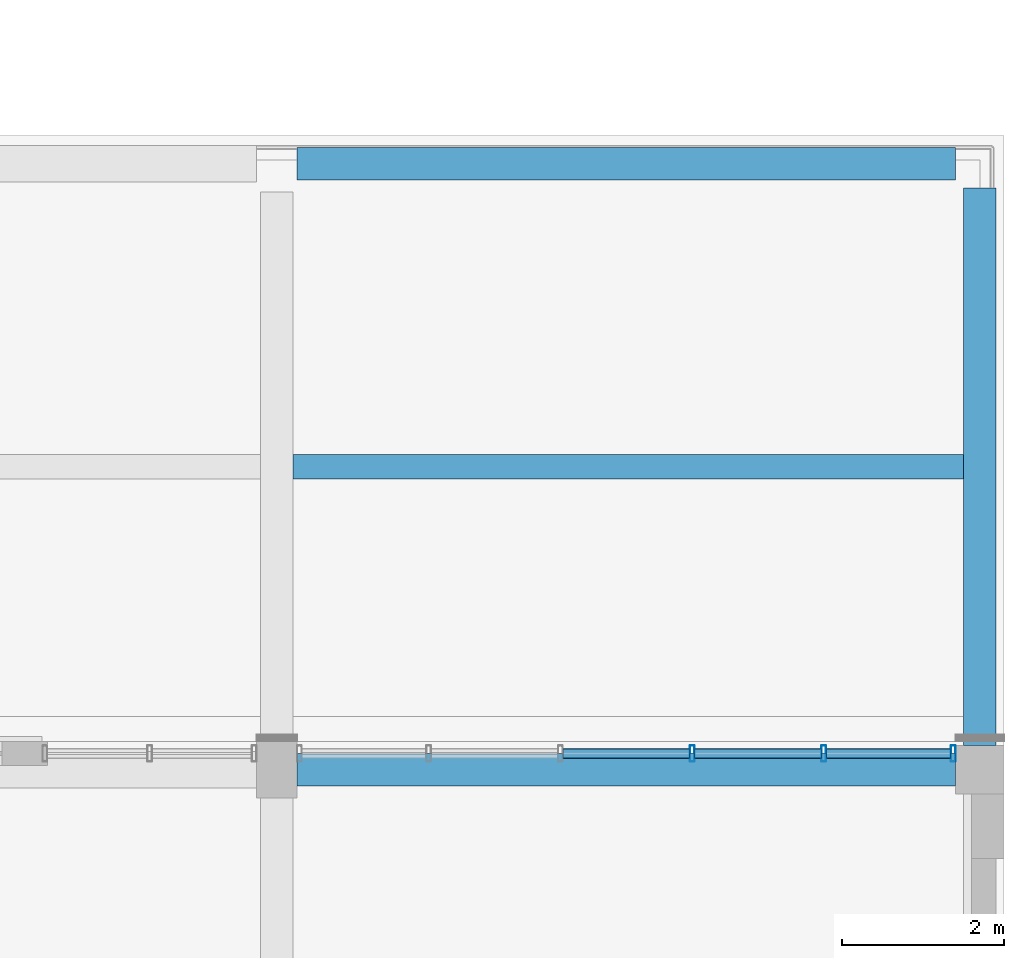
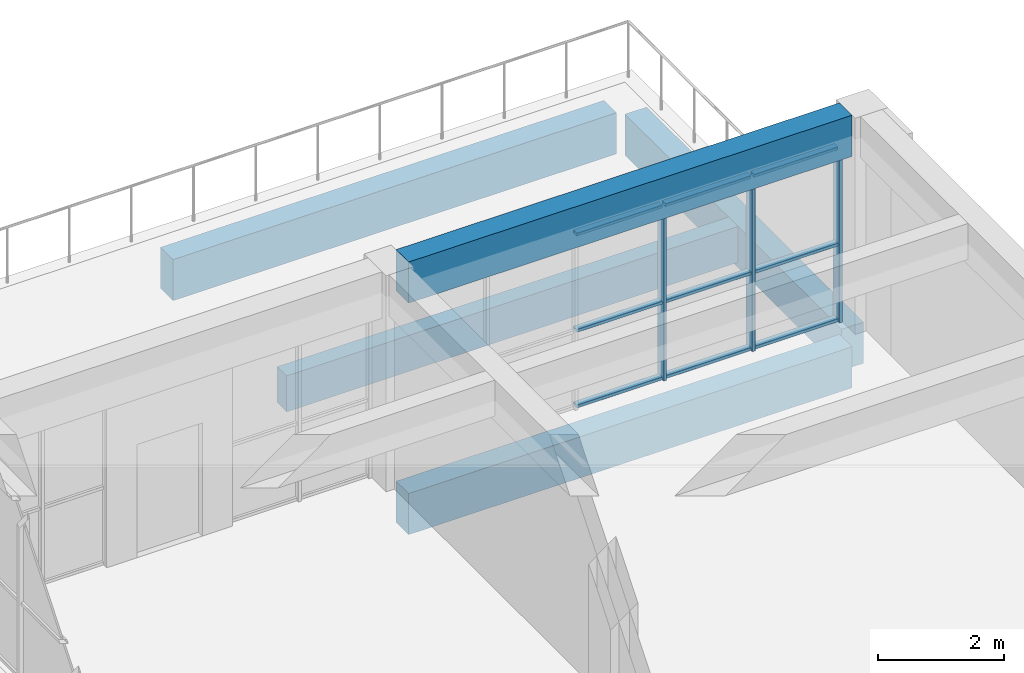
# One storey, part 13 of 26: 12 members, 5 beams, 1 element without a shape of its own.
"""IFC4 building model written with IfcOpenShell, lengths in metres."""

from ifc_helpers import new_model, si_unit, direction, frame, origin, origin_2d, place, context, subcontext, project, spatial, rectangle, hollow_rectangle, extrude, material, material_profile, profile_set, type_object, element, aggregate, save


model = new_model("IFC4")

# Units and contexts
model_context = context("Model", 3, precision=1e-05, world=origin(), true_north=direction((0.0, 1.0)))
body_context = subcontext(model_context, "Body", "Model", "MODEL_VIEW")
ifc_project = project(units=[si_unit("LENGTHUNIT", "METRE"), si_unit("AREAUNIT", "SQUARE_METRE"), si_unit("VOLUMEUNIT", "CUBIC_METRE"), si_unit("PLANEANGLEUNIT", "RADIAN"), si_unit("MASSUNIT", "GRAM", prefix="KILO")], contexts=[model_context])

# Site, building, storey
site_placement = place(None, origin())
site = spatial("IfcSite", under=ifc_project, at=site_placement, CompositionType="ELEMENT")
building_placement = place(site_placement, origin())
building = spatial("IfcBuilding", under=site, at=building_placement, Name="Sun Court Science Centre", CompositionType="ELEMENT")
storey_placement = place(building_placement, frame((0.0, 0.0, 29.25)))
storey = spatial("IfcBuildingStorey", under=building, at=storey_placement, Name="L06", CompositionType="ELEMENT", Elevation=29.25)

# Curtain wall, members
ifc_material_1 = material(Name="Aluminium EN AW-6063 T6", Category="aluminium")
curtain_wall_type = type_object("IfcCurtainWallType", Name="Laboratory tall bay curtain wall 1500", PredefinedType="NOTDEFINED", material=ifc_material_1)
curtain_wall_placement = place(storey_placement, origin())
curtain_wall = element("IfcCurtainWall", 1, at=curtain_wall_placement, inside=storey, type_object=curtain_wall_type, Name="Curtain wall V4 PN L06 03", PredefinedType="NOTDEFINED")
ifc_material_2 = material(Name="Aluminium EN AW-6063 T6", Category="aluminium")
ifc_material_profile_1 = material_profile(ifc_material_2, hollow_rectangle(XDim=0.06005859375, YDim=0.199951171875, WallThickness=0.0048828125, InnerFilletRadius=0.0048828125, OuterFilletRadius=0.007568359375, at=origin_2d()), Name="AL 60x200x5")
ifc_profile_set_1 = profile_set([ifc_material_profile_1], Name="Aluminium EN AW-6063 T6")
member_type_1 = type_object("IfcMemberType", Name="Curtain wall mullion AL 60x200", PredefinedType="MULLION", material=ifc_profile_set_1)
member_1_placement = place(storey_placement, frame((100.139892578125, 73.35009765625, 0.0), z_axis=(0.0, 0.0, 1.0), x_axis=(1.0, 0.0, 0.0)))
member_1 = element("IfcMember", 2, at=member_1_placement, type_object=member_type_1, Name="CW2-83 mullion 4", PredefinedType="MULLION", context=body_context, shape_type="SweptSolid", body=[
    extrude(hollow_rectangle(XDim=0.06005859375, YDim=0.199951171875, WallThickness=0.0048828125, InnerFilletRadius=0.0048828125, OuterFilletRadius=0.007568359375, at=origin_2d()), origin(), (0.0, 0.0, 1.0), 3.39990234375),
])
member_2_placement = place(storey_placement, frame((101.77001953125, 73.35009765625, 0.0), z_axis=(0.0, 0.0, 1.0), x_axis=(1.0, 0.0, 0.0)))
member_2 = element("IfcMember", 3, at=member_2_placement, type_object=member_type_1, Name="CW2-83 mullion 5", PredefinedType="MULLION", context=body_context, shape_type="SweptSolid", body=[
    extrude(hollow_rectangle(XDim=0.06005859375, YDim=0.199951171875, WallThickness=0.0048828125, InnerFilletRadius=0.0048828125, OuterFilletRadius=0.007568359375, at=origin_2d()), origin(), (0.0, 0.0, 1.0), 3.39990234375),
])
member_3_placement = place(storey_placement, frame((103.3701171875, 73.35009765625, 0.0), z_axis=(0.0, 0.0, 1.0), x_axis=(1.0, 0.0, 0.0)))
member_3 = element("IfcMember", 4, at=member_3_placement, type_object=member_type_1, Name="CW2-83 mullion 6", PredefinedType="MULLION", context=body_context, shape_type="SweptSolid", body=[
    extrude(hollow_rectangle(XDim=0.06005859375, YDim=0.199951171875, WallThickness=0.0048828125, InnerFilletRadius=0.0048828125, OuterFilletRadius=0.007568359375, at=origin_2d()), origin(), (0.0, 0.0, 1.0), 3.39990234375),
])
ifc_material_3 = material(Name="Aluminium EN AW-6063 T6", Category="aluminium")
ifc_material_profile_2 = material_profile(ifc_material_3, hollow_rectangle(XDim=0.06005859375, YDim=0.1201171875, WallThickness=0.00390625, InnerFilletRadius=0.00390625, OuterFilletRadius=0.006103515625, at=origin_2d()), Name="AL 60x120x4")
ifc_profile_set_2 = profile_set([ifc_material_profile_2], Name="Aluminium EN AW-6063 T6")
member_type_2 = type_object("IfcMemberType", Name="Curtain wall transom AL 60x120", PredefinedType="USERDEFINED", material=ifc_profile_set_2)
member_4_placement = place(storey_placement, frame((98.5400390625, 73.35009765625, 0.030029296875), z_axis=(1.0, 0.0, 0.0), x_axis=(0.0, 0.0, 1.0)))
member_4 = element("IfcMember", 5, at=member_4_placement, type_object=member_type_2, Name="CW2-83 transom 3.1", ObjectType="TRANSOM", PredefinedType="USERDEFINED", context=body_context, shape_type="SweptSolid", body=[
    extrude(hollow_rectangle(XDim=0.06005859375, YDim=0.1201171875, WallThickness=0.00390625, InnerFilletRadius=0.00390625, OuterFilletRadius=0.006103515625, at=origin_2d()), origin(), (0.0, 0.0, 1.0), 1.570068359375),
])
member_5_placement = place(storey_placement, frame((100.169921875, 73.35009765625, 0.030029296875), z_axis=(1.0, 0.0, 0.0), x_axis=(0.0, 0.0, 1.0)))
member_5 = element("IfcMember", 6, at=member_5_placement, type_object=member_type_2, Name="CW2-83 transom 4.1", ObjectType="TRANSOM", PredefinedType="USERDEFINED", context=body_context, shape_type="SweptSolid", body=[
    extrude(hollow_rectangle(XDim=0.06005859375, YDim=0.1201171875, WallThickness=0.00390625, InnerFilletRadius=0.00390625, OuterFilletRadius=0.006103515625, at=origin_2d()), origin(), (0.0, 0.0, 1.0), 1.570068359375),
])
member_6_placement = place(storey_placement, frame((101.800048828125, 73.35009765625, 0.030029296875), z_axis=(1.0, 0.0, 0.0), x_axis=(0.0, 0.0, 1.0)))
member_6 = element("IfcMember", 7, at=member_6_placement, type_object=member_type_2, Name="CW2-83 transom 5.1", ObjectType="TRANSOM", PredefinedType="USERDEFINED", context=body_context, shape_type="SweptSolid", body=[
    extrude(hollow_rectangle(XDim=0.06005859375, YDim=0.1201171875, WallThickness=0.00390625, InnerFilletRadius=0.00390625, OuterFilletRadius=0.006103515625, at=origin_2d()), origin(), (0.0, 0.0, 1.0), 1.5400390625),
])
member_7_placement = place(storey_placement, frame((98.5400390625, 73.35009765625, 1.5), z_axis=(1.0, 0.0, 0.0), x_axis=(0.0, 0.0, 1.0)))
member_7 = element("IfcMember", 8, at=member_7_placement, type_object=member_type_2, Name="CW2-83 transom 3.2", ObjectType="TRANSOM", PredefinedType="USERDEFINED", context=body_context, shape_type="SweptSolid", body=[
    extrude(hollow_rectangle(XDim=0.06005859375, YDim=0.1201171875, WallThickness=0.00390625, InnerFilletRadius=0.00390625, OuterFilletRadius=0.006103515625, at=origin_2d()), origin(), (0.0, 0.0, 1.0), 1.570068359375),
])
member_8_placement = place(storey_placement, frame((100.169921875, 73.35009765625, 1.5), z_axis=(1.0, 0.0, 0.0), x_axis=(0.0, 0.0, 1.0)))
member_8 = element("IfcMember", 9, at=member_8_placement, type_object=member_type_2, Name="CW2-83 transom 4.2", ObjectType="TRANSOM", PredefinedType="USERDEFINED", context=body_context, shape_type="SweptSolid", body=[
    extrude(hollow_rectangle(XDim=0.06005859375, YDim=0.1201171875, WallThickness=0.00390625, InnerFilletRadius=0.00390625, OuterFilletRadius=0.006103515625, at=origin_2d()), origin(), (0.0, 0.0, 1.0), 1.570068359375),
])
member_9_placement = place(storey_placement, frame((101.800048828125, 73.35009765625, 1.5), z_axis=(1.0, 0.0, 0.0), x_axis=(0.0, 0.0, 1.0)))
member_9 = element("IfcMember", 10, at=member_9_placement, type_object=member_type_2, Name="CW2-83 transom 5.2", ObjectType="TRANSOM", PredefinedType="USERDEFINED", context=body_context, shape_type="SweptSolid", body=[
    extrude(hollow_rectangle(XDim=0.06005859375, YDim=0.1201171875, WallThickness=0.00390625, InnerFilletRadius=0.00390625, OuterFilletRadius=0.006103515625, at=origin_2d()), origin(), (0.0, 0.0, 1.0), 1.5400390625),
])
member_10_placement = place(storey_placement, frame((98.5400390625, 73.35009765625, 3.3701171875), z_axis=(1.0, 0.0, 0.0), x_axis=(0.0, 0.0, 1.0)))
member_10 = element("IfcMember", 11, at=member_10_placement, type_object=member_type_2, Name="CW2-83 transom 3.3", ObjectType="TRANSOM", PredefinedType="USERDEFINED", context=body_context, shape_type="SweptSolid", body=[
    extrude(hollow_rectangle(XDim=0.06005859375, YDim=0.1201171875, WallThickness=0.00390625, InnerFilletRadius=0.00390625, OuterFilletRadius=0.006103515625, at=origin_2d()), origin(), (0.0, 0.0, 1.0), 1.570068359375),
])
member_11_placement = place(storey_placement, frame((100.169921875, 73.35009765625, 3.3701171875), z_axis=(1.0, 0.0, 0.0), x_axis=(0.0, 0.0, 1.0)))
member_11 = element("IfcMember", 12, at=member_11_placement, type_object=member_type_2, Name="CW2-83 transom 4.3", ObjectType="TRANSOM", PredefinedType="USERDEFINED", context=body_context, shape_type="SweptSolid", body=[
    extrude(hollow_rectangle(XDim=0.06005859375, YDim=0.1201171875, WallThickness=0.00390625, InnerFilletRadius=0.00390625, OuterFilletRadius=0.006103515625, at=origin_2d()), origin(), (0.0, 0.0, 1.0), 1.570068359375),
])
member_12_placement = place(storey_placement, frame((101.800048828125, 73.35009765625, 3.3701171875), z_axis=(1.0, 0.0, 0.0), x_axis=(0.0, 0.0, 1.0)))
member_12 = element("IfcMember", 13, at=member_12_placement, type_object=member_type_2, Name="CW2-83 transom 5.3", ObjectType="TRANSOM", PredefinedType="USERDEFINED", context=body_context, shape_type="SweptSolid", body=[
    extrude(hollow_rectangle(XDim=0.06005859375, YDim=0.1201171875, WallThickness=0.00390625, InnerFilletRadius=0.00390625, OuterFilletRadius=0.006103515625, at=origin_2d()), origin(), (0.0, 0.0, 1.0), 1.5400390625),
])
aggregate(curtain_wall, [member_1, member_2, member_3, member_4, member_5, member_6, member_7, member_8, member_9, member_10, member_11, member_12])

# Beams
ifc_material_4 = material(Name="Concrete C25/30", Category="concrete")
ifc_material_profile_3 = material_profile(ifc_material_4, rectangle(XDim=0.39990234375, YDim=0.800048828125, at=origin_2d()), Name="RC 400x800")
ifc_profile_set_3 = profile_set([ifc_material_profile_3], Name="Concrete C25/30")
beam_type_1 = type_object("IfcBeamType", Name="RC girder 400x800", PredefinedType="BEAM", material=ifc_profile_set_3)
for number, where, z_axis, x_axis, name in (
    (14, (95.25, 73.14990234375, -0.699951171875), (1.0, 0.0, 0.0), (0.0, 1.0, 0.0), "Girder L06 row 7"),
    (15, (95.25, 80.64990234375, -0.699951171875), (1.0, 0.0, 0.0), (0.0, 1.0, 0.0), "Girder L06 row 8"),
):
    element("IfcBeam", number, at=place(storey_placement, frame(where, z_axis=z_axis, x_axis=x_axis)), inside=storey, type_object=beam_type_1, Name=name, PredefinedType="BEAM", context=body_context, shape_type="SweptSolid", body=[
        extrude(rectangle(XDim=0.39990234375, YDim=0.800048828125, at=origin_2d()), origin(), (0.0, 0.0, 1.0), 8.14990234375),
    ])
beam_1_placement = place(storey_placement, frame((103.699951171875, 73.449951171875, -0.699951171875), z_axis=(0.0, 1.0, 0.0), x_axis=(-1.0, 0.0, 0.0)))
element("IfcBeam", 16, at=beam_1_placement, inside=storey, type_object=beam_type_1, Name="Girder L06 line 3", PredefinedType="BEAM", context=body_context, shape_type="SweptSolid", body=[
    extrude(rectangle(XDim=0.39990234375, YDim=0.800048828125, at=origin_2d()), origin(), (0.0, 0.0, 1.0), 6.900146484375),
])
beam_2_placement = place(storey_placement, frame((95.25, 73.14990234375, 3.800048828125), z_axis=(1.0, 0.0, 0.0), x_axis=(0.0, 1.0, 0.0)))
element("IfcBeam", 17, at=beam_2_placement, inside=storey, type_object=beam_type_1, Name="Girder L06P row 5", PredefinedType="BEAM", context=body_context, shape_type="SweptSolid", body=[
    extrude(rectangle(XDim=0.39990234375, YDim=0.800048828125, at=origin_2d()), origin(), (0.0, 0.0, 1.0), 8.14990234375),
])
ifc_material_5 = material(Name="Concrete C25/30", Category="concrete")
ifc_material_profile_4 = material_profile(ifc_material_5, rectangle(XDim=0.300048828125, YDim=0.699951171875, at=origin_2d()), Name="RC 300x700")
ifc_profile_set_4 = profile_set([ifc_material_profile_4], Name="Concrete C25/30")
beam_type_2 = type_object("IfcBeamType", Name="RC joist 300x700", PredefinedType="JOIST", material=ifc_profile_set_4)
beam_3_placement = place(storey_placement, frame((95.199951171875, 76.89990234375, -0.64990234375), z_axis=(1.0, 0.0, 0.0), x_axis=(0.0, 1.0, 0.0)))
element("IfcBeam", 18, at=beam_3_placement, inside=storey, type_object=beam_type_2, Name="Joist L06", PredefinedType="JOIST", context=body_context, shape_type="SweptSolid", body=[
    extrude(rectangle(XDim=0.300048828125, YDim=0.699951171875, at=origin_2d()), origin(), (0.0, 0.0, 1.0), 8.300048828125),
])

save(model, "model.ifc")
